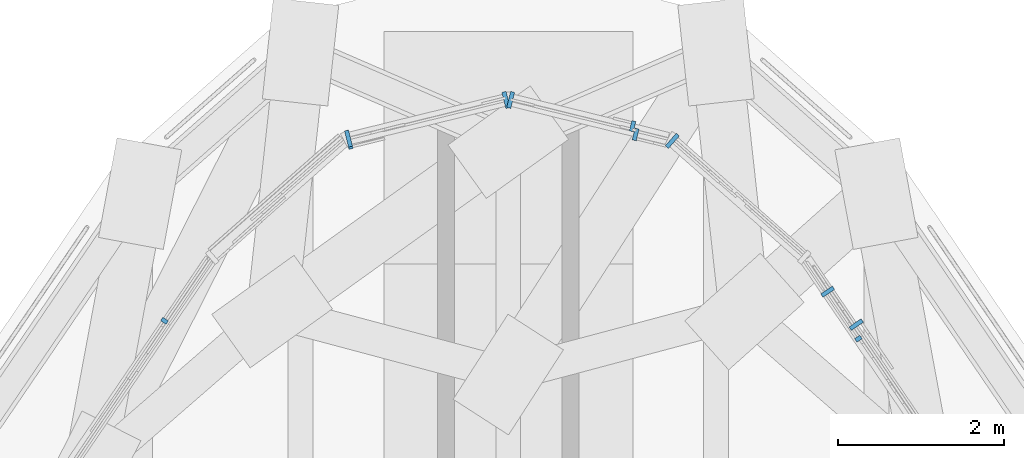
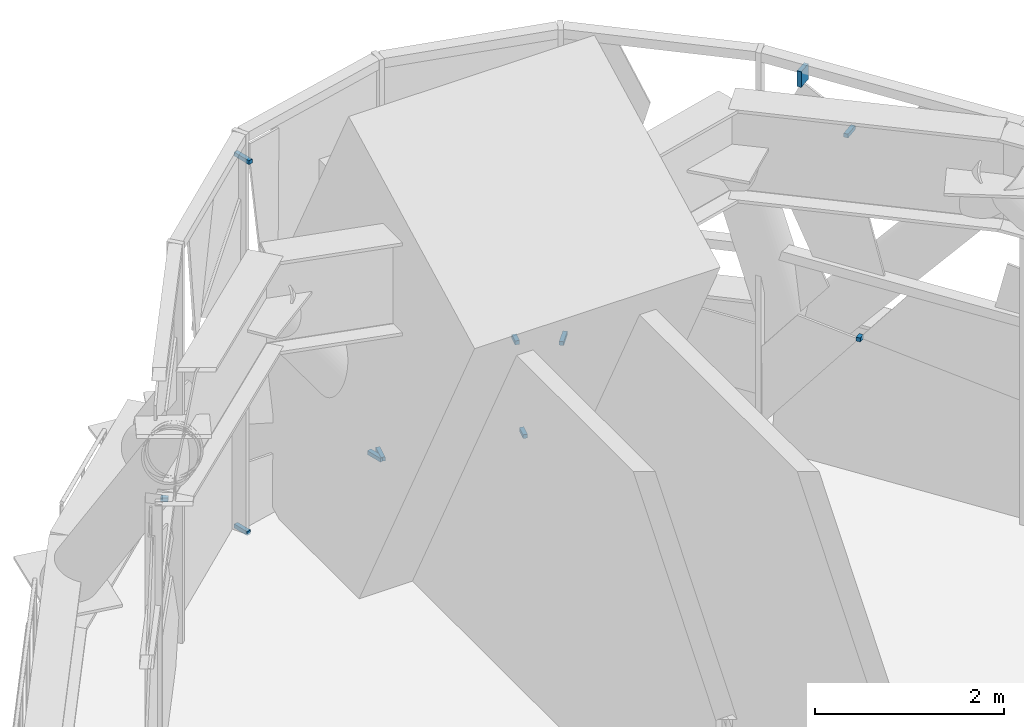
# One storey, part 36 of 43: 11 discrete accessories, 3 elements without a shape of their own.
"""IFC4 building model written with IfcOpenShell, lengths in metres."""

from ifc_helpers import new_model, si_unit, direction, frame, origin, origin_2d, place, context, subcontext, project, spatial, rectangle, extrude, material, layer, layer_set, type_object, element, aggregate, save


model = new_model("IFC4")

# Units and contexts
model_context = context("Model", 3, precision=1e-05, world=origin(), true_north=direction((0.0, 1.0)))
body_context = subcontext(model_context, "Body", "Model", "MODEL_VIEW")
ifc_project = project(units=[si_unit("LENGTHUNIT", "METRE"), si_unit("AREAUNIT", "SQUARE_METRE"), si_unit("VOLUMEUNIT", "CUBIC_METRE"), si_unit("PLANEANGLEUNIT", "RADIAN"), si_unit("MASSUNIT", "GRAM", prefix="KILO")], contexts=[model_context])

# Site, building, storey
site_placement = place(None, origin())
site = spatial("IfcSite", under=ifc_project, at=site_placement, CompositionType="ELEMENT")
building_placement = place(site_placement, origin())
building = spatial("IfcBuilding", under=site, at=building_placement, Name="Mestral Congress Tower", CompositionType="ELEMENT")
storey_placement = place(building_placement, frame((0.0, 0.0, 78.300048828125)))
storey = spatial("IfcBuildingStorey", under=building, at=storey_placement, Name="L18", CompositionType="ELEMENT", Elevation=78.300048828125)

# Curtain wall, discrete accessories
ifc_material_1 = material(Name="Clear low-emissivity double glazing", Category="glass")
curtain_wall_type = type_object("IfcCurtainWallType", Name="Facade refuge band screen", PredefinedType="USERDEFINED", material=ifc_material_1)
placement = place(storey_placement, origin())
curtain_wall_1 = element("IfcCurtainWall", 1, at=placement, inside=storey, type_object=curtain_wall_type, Name="Facade refuge band screen face 2", ObjectType="CURTAIN WALL", PredefinedType="USERDEFINED")
ifc_material_2 = material(Name="Steel S355", Category="steel")
ifc_layer = layer(ifc_material_2, 0.050048828125)
ifc_layer_set = layer_set([ifc_layer], Name="Steel S355")
discrete_accessory_type = type_object("IfcDiscreteAccessoryType", Name="Facade bracket", PredefinedType="BRACKET", material=ifc_layer_set)
discrete_accessory_1_placement = place(storey_placement, frame((4.218505859375, 34.02978515625, 1.75341796875), z_axis=(0.0, 0.0, 1.0), x_axis=(-0.562633237677, 0.826706622607, 0.0)))
discrete_accessory_1 = element("IfcDiscreteAccessory", 2, at=discrete_accessory_1_placement, type_object=discrete_accessory_type, Name="Facade bracket", PredefinedType="BRACKET", context=body_context, shape_type="SweptSolid", body=[
    extrude(rectangle(XDim=0.050048828125, YDim=0.074951171875, at=origin_2d()), origin(), (0.0, 0.0, 1.0), 0.050048828125),
])
discrete_accessory_2_placement = place(storey_placement, frame((3.848876953125, 34.596923828125, 4.853759765625), z_axis=(0.0, 0.0, 1.0), x_axis=(-0.56262025173, 0.826715460327, 0.0)))
discrete_accessory_2 = element("IfcDiscreteAccessory", 3, at=discrete_accessory_2_placement, type_object=discrete_accessory_type, Name="Facade bracket", PredefinedType="BRACKET", context=body_context, shape_type="SweptSolid", body=[
    extrude(rectangle(XDim=0.050048828125, YDim=0.169921875, at=origin_2d()), origin(), (0.0, 0.0, 1.0), 0.201171875),
])
discrete_accessory_3_placement = place(storey_placement, frame((4.19189453125, 34.2001953125, 4.3232421875), z_axis=(0.0, 0.0, 1.0), x_axis=(-0.562643337761, 0.826699748683, 0.0)))
discrete_accessory_3 = element("IfcDiscreteAccessory", 4, at=discrete_accessory_3_placement, type_object=discrete_accessory_type, Name="Facade bracket", PredefinedType="BRACKET", context=body_context, shape_type="SweptSolid", body=[
    extrude(rectangle(XDim=0.050537109375, YDim=0.177001953125, at=origin_2d()), origin(), (0.0, 0.0, 1.0), 0.050048828125),
])
aggregate(curtain_wall_1, [discrete_accessory_1, discrete_accessory_2, discrete_accessory_3])

# Curtain wall, discrete accessory
curtain_wall_2 = element("IfcCurtainWall", 5, at=placement, inside=storey, type_object=curtain_wall_type, Name="Facade refuge band screen face 3", ObjectType="CURTAIN WALL", PredefinedType="USERDEFINED")
discrete_accessory_4_placement = place(storey_placement, frame((-4.142578125, 34.24658203125, 2.47509765625), z_axis=(0.0, 0.0, 1.0), x_axis=(-0.562633237677, -0.826706622607, 0.0)))
discrete_accessory_4 = element("IfcDiscreteAccessory", 6, at=discrete_accessory_4_placement, type_object=discrete_accessory_type, Name="Facade bracket", PredefinedType="BRACKET", context=body_context, shape_type="SweptSolid", body=[
    extrude(rectangle(XDim=0.050048828125, YDim=0.07958984375, at=origin_2d()), origin(), (0.0, 0.0, 1.0), 0.050048828125),
])
aggregate(curtain_wall_2, [discrete_accessory_4])

# Curtain wall, discrete accessories
curtain_wall_3 = element("IfcCurtainWall", 7, at=placement, inside=storey, type_object=curtain_wall_type, Name="Facade refuge band screen corner 2", ObjectType="CURTAIN WALL", PredefinedType="USERDEFINED")
discrete_accessory_5_placement = place(storey_placement, frame((1.976806640625, 36.41455078125, 1.0869140625), z_axis=(0.0, 0.0, 1.0), x_axis=(-0.749860552931, 0.661595912289, 0.0)))
discrete_accessory_5 = element("IfcDiscreteAccessory", 8, at=discrete_accessory_5_placement, type_object=discrete_accessory_type, Name="Facade bracket", PredefinedType="BRACKET", context=body_context, shape_type="SweptSolid", body=[
    extrude(rectangle(XDim=0.050048828125, YDim=0.199951171875, at=origin_2d()), origin(), (0.0, 0.0, 1.0), 0.050048828125),
])
discrete_accessory_6_placement = place(storey_placement, frame((0.029052734375, 36.907470703125, -0.02490234375), z_axis=(0.0, 0.0, 1.0), x_axis=(-0.971124287392, 0.238574136147, 0.0)))
discrete_accessory_6 = element("IfcDiscreteAccessory", 9, at=discrete_accessory_6_placement, type_object=discrete_accessory_type, Name="Facade bracket", PredefinedType="BRACKET", context=body_context, shape_type="SweptSolid", body=[
    extrude(rectangle(XDim=0.050048828125, YDim=0.199951171875, at=origin_2d()), origin(), (0.0, 0.0, 1.0), 0.050048828125),
])
discrete_accessory_7_placement = place(storey_placement, frame((1.534912109375, 36.49169921875, -0.02490234375), z_axis=(0.0, 0.0, 1.0), x_axis=(-0.97110388071, 0.238657186924, 0.0)))
discrete_accessory_7 = element("IfcDiscreteAccessory", 10, at=discrete_accessory_7_placement, type_object=discrete_accessory_type, Name="Facade bracket", PredefinedType="BRACKET", context=body_context, shape_type="SweptSolid", body=[
    extrude(rectangle(XDim=0.050048828125, YDim=0.14453125, at=origin_2d()), origin(), (0.0, 0.0, 1.0), 0.050048828125),
])
discrete_accessory_8_placement = place(storey_placement, frame((1.497314453125, 36.590576171875, 1.1328125), z_axis=(0.0, 0.0, 1.0), x_axis=(-0.971132614608, 0.238540237369, 0.0)))
discrete_accessory_8 = element("IfcDiscreteAccessory", 11, at=discrete_accessory_8_placement, type_object=discrete_accessory_type, Name="Facade bracket", PredefinedType="BRACKET", context=body_context, shape_type="SweptSolid", body=[
    extrude(rectangle(XDim=0.050048828125, YDim=0.126953125, at=origin_2d()), origin(), (0.0, 0.0, 1.0), 0.050048828125),
])
discrete_accessory_9_placement = place(storey_placement, frame((-1.925048828125, 36.44140625, -0.02490234375), z_axis=(0.0, 0.0, 1.0), x_axis=(-0.971093883009, -0.238697864219, 0.0)))
discrete_accessory_9 = element("IfcDiscreteAccessory", 12, at=discrete_accessory_9_placement, type_object=discrete_accessory_type, Name="Facade bracket", PredefinedType="BRACKET", context=body_context, shape_type="SweptSolid", body=[
    extrude(rectangle(XDim=0.050048828125, YDim=0.199951171875, at=origin_2d()), origin(), (0.0, 0.0, 1.0), 0.050048828125),
])
discrete_accessory_10_placement = place(storey_placement, frame((-0.02783203125, 36.9072265625, -0.02490234375), z_axis=(0.0, 0.0, 1.0), x_axis=(-0.97110846242, -0.238638543024, 0.0)))
discrete_accessory_10 = element("IfcDiscreteAccessory", 13, at=discrete_accessory_10_placement, type_object=discrete_accessory_type, Name="Facade bracket", PredefinedType="BRACKET", context=body_context, shape_type="SweptSolid", body=[
    extrude(rectangle(XDim=0.05224609375, YDim=0.199951171875, at=origin_2d()), origin(), (0.0, 0.0, 1.0), 0.050048828125),
])
discrete_accessory_11_placement = place(storey_placement, frame((-1.922607421875, 36.428466796875, 4.77587890625), z_axis=(0.0, 0.0, 1.0), x_axis=(-0.971085966954, -0.23873006678, 0.0)))
discrete_accessory_11 = element("IfcDiscreteAccessory", 14, at=discrete_accessory_11_placement, type_object=discrete_accessory_type, Name="Facade bracket", PredefinedType="BRACKET", context=body_context, shape_type="SweptSolid", body=[
    extrude(rectangle(XDim=0.051025390625, YDim=0.227294921875, at=origin_2d()), origin(), (0.0, 0.0, 1.0), 0.050048828125),
])
aggregate(curtain_wall_3, [discrete_accessory_5, discrete_accessory_6, discrete_accessory_7, discrete_accessory_8, discrete_accessory_9, discrete_accessory_10, discrete_accessory_11])

save(model, "model.ifc")
